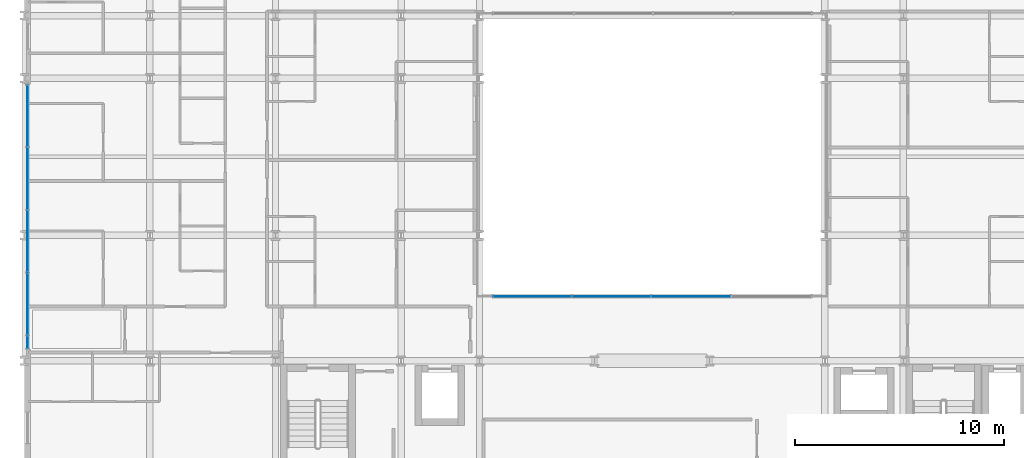
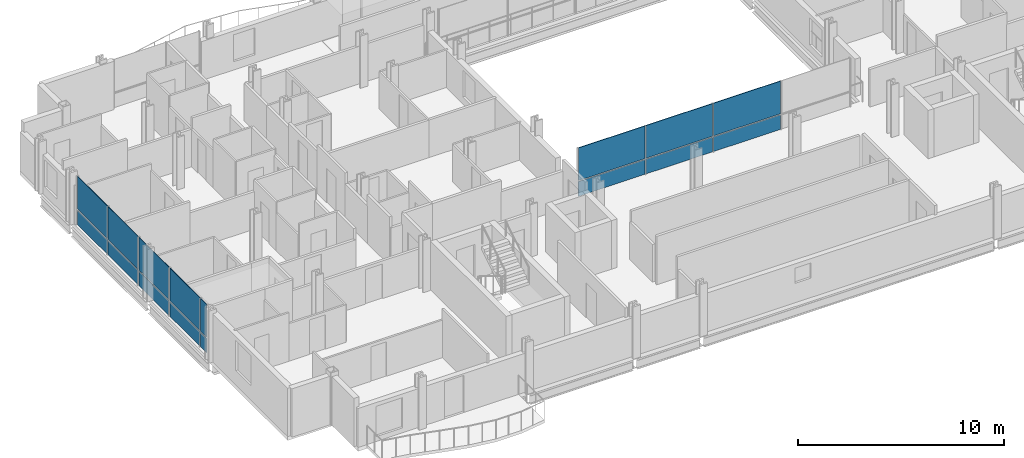
# One storey, part 26 of 40: 16 plates, 2 elements without a shape of their own.
"""IFC4 building model written with IfcOpenShell, lengths in metres."""

from ifc_helpers import new_model, si_unit, direction, frame, origin, origin_2d, place, context, subcontext, project, spatial, rectangle, extrude, material, layer, layer_set, type_object, element, aggregate, save


model = new_model("IFC4")

# Units and contexts
model_context = context("Model", 3, precision=1e-05, world=origin(), true_north=direction((0.0, 1.0)))
body_context = subcontext(model_context, "Body", "Model", "MODEL_VIEW")
ifc_project = project(units=[si_unit("LENGTHUNIT", "METRE"), si_unit("AREAUNIT", "SQUARE_METRE"), si_unit("VOLUMEUNIT", "CUBIC_METRE"), si_unit("PLANEANGLEUNIT", "RADIAN"), si_unit("MASSUNIT", "GRAM", prefix="KILO")], contexts=[model_context])

# Site, building, storey
site_placement = place(None, origin())
site = spatial("IfcSite", under=ifc_project, at=site_placement, CompositionType="ELEMENT")
building_placement = place(site_placement, origin())
building = spatial("IfcBuilding", under=site, at=building_placement, Name="Brevholm Reach", CompositionType="ELEMENT")
storey_placement = place(building_placement, frame((0.0, 0.0, 37.300048828125)))
storey = spatial("IfcBuildingStorey", under=building, at=storey_placement, Name="L09", CompositionType="ELEMENT", Elevation=37.300048828125)

# Curtain wall, plates
ifc_material_1 = material(Name="Dark Anodised Aluminium 6063-T6 and Solar-Control Glass", Category="aluminium")
ifc_layer_1 = layer(ifc_material_1, 0.14990234375)
ifc_layer_set_1 = layer_set([ifc_layer_1], Name="Dark Anodised Aluminium 6063-T6 and Solar-Control Glass")
curtain_wall_type_1 = type_object("IfcCurtainWallType", Name="CW-01", PredefinedType="NOTDEFINED", material=ifc_layer_set_1)
curtain_wall_1_placement = place(storey_placement, origin())
curtain_wall_1 = element("IfcCurtainWall", 1, at=curtain_wall_1_placement, inside=storey, type_object=curtain_wall_type_1, Name="L09 Curtain Wall CW-01", PredefinedType="NOTDEFINED")
ifc_material_2 = material(Name="Dark Solar-Control Double-Glazed IGU Glass", Category="glass")
ifc_layer_2 = layer(ifc_material_2, 0.028076171875)
ifc_layer_set_2 = layer_set([ifc_layer_2], Name="Dark Solar-Control Double-Glazed IGU Glass")
plate_type_1 = type_object("IfcPlateType", Name="CWP-GLZ-28", PredefinedType="CURTAIN_PANEL", material=ifc_layer_set_2)
plate_1_placement = place(storey_placement, frame((0.14990234375, 21.703857421875, 0.0), z_axis=(0.0, 0.0, 1.0), x_axis=(0.0, -1.0, 0.0)))
plate_1 = element("IfcPlate", 2, at=plate_1_placement, type_object=plate_type_1, Name="CP-01 Glazing Panel 1.1", PredefinedType="CURTAIN_PANEL", context=body_context, shape_type="SweptSolid", body=[
    extrude(rectangle(XDim=2.902587890625, YDim=0.028076171875, at=origin_2d()), origin(), (0.0, 0.0, 1.0), 0.867431640625),
])
plate_2_placement = place(storey_placement, frame((0.14990234375, 21.703857421875, 0.932373046875), z_axis=(0.0, 0.0, 1.0), x_axis=(0.0, -1.0, 0.0)))
plate_2 = element("IfcPlate", 3, at=plate_2_placement, type_object=plate_type_1, Name="CP-01 Glazing Panel 1.2", PredefinedType="CURTAIN_PANEL", context=body_context, shape_type="SweptSolid", body=[
    extrude(rectangle(XDim=2.902587890625, YDim=0.028076171875, at=origin_2d()), origin(), (0.0, 0.0, 1.0), 1.9375),
])
plate_3_placement = place(storey_placement, frame((0.14990234375, 18.719970703125, 0.0), z_axis=(0.0, 0.0, 1.0), x_axis=(0.0, -1.0, 0.0)))
plate_3 = element("IfcPlate", 4, at=plate_3_placement, type_object=plate_type_1, Name="CP-01 Glazing Panel 2.1", PredefinedType="CURTAIN_PANEL", context=body_context, shape_type="SweptSolid", body=[
    extrude(rectangle(XDim=2.93505859375, YDim=0.028076171875, at=origin_2d()), origin(), (0.0, 0.0, 1.0), 0.867431640625),
])
plate_4_placement = place(storey_placement, frame((0.14990234375, 18.719970703125, 0.932373046875), z_axis=(0.0, 0.0, 1.0), x_axis=(0.0, -1.0, 0.0)))
plate_4 = element("IfcPlate", 5, at=plate_4_placement, type_object=plate_type_1, Name="CP-01 Glazing Panel 2.2", PredefinedType="CURTAIN_PANEL", context=body_context, shape_type="SweptSolid", body=[
    extrude(rectangle(XDim=2.93505859375, YDim=0.028076171875, at=origin_2d()), origin(), (0.0, 0.0, 1.0), 1.9375),
])
plate_5_placement = place(storey_placement, frame((0.14990234375, 15.719970703125, 0.0), z_axis=(0.0, 0.0, 1.0), x_axis=(0.0, -1.0, 0.0)))
plate_5 = element("IfcPlate", 6, at=plate_5_placement, type_object=plate_type_1, Name="CP-01 Glazing Panel 3.1", PredefinedType="CURTAIN_PANEL", context=body_context, shape_type="SweptSolid", body=[
    extrude(rectangle(XDim=2.93505859375, YDim=0.028076171875, at=origin_2d()), origin(), (0.0, 0.0, 1.0), 0.867431640625),
])
plate_6_placement = place(storey_placement, frame((0.14990234375, 15.719970703125, 0.932373046875), z_axis=(0.0, 0.0, 1.0), x_axis=(0.0, -1.0, 0.0)))
plate_6 = element("IfcPlate", 7, at=plate_6_placement, type_object=plate_type_1, Name="CP-01 Glazing Panel 3.2", PredefinedType="CURTAIN_PANEL", context=body_context, shape_type="SweptSolid", body=[
    extrude(rectangle(XDim=2.93505859375, YDim=0.028076171875, at=origin_2d()), origin(), (0.0, 0.0, 1.0), 1.9375),
])
plate_7_placement = place(storey_placement, frame((0.14990234375, 12.719970703125, 0.0), z_axis=(0.0, 0.0, 1.0), x_axis=(0.0, -1.0, 0.0)))
plate_7 = element("IfcPlate", 8, at=plate_7_placement, type_object=plate_type_1, Name="CP-01 Glazing Panel 4.1", PredefinedType="CURTAIN_PANEL", context=body_context, shape_type="SweptSolid", body=[
    extrude(rectangle(XDim=2.93505859375, YDim=0.028076171875, at=origin_2d()), origin(), (0.0, 0.0, 1.0), 0.867431640625),
])
plate_8_placement = place(storey_placement, frame((0.14990234375, 12.719970703125, 0.932373046875), z_axis=(0.0, 0.0, 1.0), x_axis=(0.0, -1.0, 0.0)))
plate_8 = element("IfcPlate", 9, at=plate_8_placement, type_object=plate_type_1, Name="CP-01 Glazing Panel 4.2", PredefinedType="CURTAIN_PANEL", context=body_context, shape_type="SweptSolid", body=[
    extrude(rectangle(XDim=2.93505859375, YDim=0.028076171875, at=origin_2d()), origin(), (0.0, 0.0, 1.0), 1.9375),
])
plate_9_placement = place(storey_placement, frame((0.14990234375, 10.9013671875, 0.0), z_axis=(0.0, 0.0, 1.0), x_axis=(0.0, -1.0, 0.0)))
plate_9 = element("IfcPlate", 10, at=plate_9_placement, type_object=plate_type_1, Name="CP-01 Glazing Panel 5.1", PredefinedType="CURTAIN_PANEL", context=body_context, shape_type="SweptSolid", body=[
    extrude(rectangle(XDim=0.572509765625, YDim=0.028076171875, at=origin_2d()), origin(), (0.0, 0.0, 1.0), 0.867431640625),
])
plate_10_placement = place(storey_placement, frame((0.14990234375, 10.9013671875, 0.932373046875), z_axis=(0.0, 0.0, 1.0), x_axis=(0.0, -1.0, 0.0)))
plate_10 = element("IfcPlate", 11, at=plate_10_placement, type_object=plate_type_1, Name="CP-01 Glazing Panel 5.2", PredefinedType="CURTAIN_PANEL", context=body_context, shape_type="SweptSolid", body=[
    extrude(rectangle(XDim=0.572509765625, YDim=0.028076171875, at=origin_2d()), origin(), (0.0, 0.0, 1.0), 1.9375),
])
aggregate(curtain_wall_1, [plate_1, plate_2, plate_3, plate_4, plate_5, plate_6, plate_7, plate_8, plate_9, plate_10])

ifc_material_3 = material(Name="Dark Anodised Aluminium 6063-T6 and Solar-Control Glass", Category="aluminium")
ifc_layer_3 = layer(ifc_material_3, 0.139892578125)
ifc_layer_set_3 = layer_set([ifc_layer_3], Name="Dark Anodised Aluminium 6063-T6 and Solar-Control Glass")
curtain_wall_type_2 = type_object("IfcCurtainWallType", Name="CW-02", PredefinedType="NOTDEFINED", material=ifc_layer_set_3)
curtain_wall_2_placement = place(storey_placement, origin())
curtain_wall_2 = element("IfcCurtainWall", 12, at=curtain_wall_2_placement, inside=storey, type_object=curtain_wall_type_2, Name="L09 Curtain Wall CW-02", PredefinedType="NOTDEFINED")
ifc_material_4 = material(Name="Low-Iron Laminated Acoustic Glass", Category="glass")
ifc_layer_4 = layer(ifc_material_4, 0.035888671875)
ifc_layer_set_4 = layer_set([ifc_layer_4], Name="Low-Iron Laminated Acoustic Glass")
plate_type_2 = type_object("IfcPlateType", Name="CWP-GLZ-36", PredefinedType="CURTAIN_PANEL", material=ifc_layer_set_4)
plate_11_placement = place(storey_placement, frame((24.264892578125, 13.080078125, 0.0), z_axis=(0.0, 0.0, 1.0), x_axis=(1.0, 0.0, 0.0)))
plate_11 = element("IfcPlate", 13, at=plate_11_placement, type_object=plate_type_2, Name="CP-02 Glazing Panel 1.1", PredefinedType="CURTAIN_PANEL", context=body_context, shape_type="SweptSolid", body=[
    extrude(rectangle(XDim=3.7099609375, YDim=0.035888671875, at=origin_2d()), origin(), (0.0, 0.0, 1.0), 0.8701171875),
])
plate_12_placement = place(storey_placement, frame((24.264892578125, 13.080078125, 0.929931640625), z_axis=(0.0, 0.0, 1.0), x_axis=(1.0, 0.0, 0.0)))
plate_12 = element("IfcPlate", 14, at=plate_12_placement, type_object=plate_type_2, Name="CP-02 Glazing Panel 1.2", PredefinedType="CURTAIN_PANEL", context=body_context, shape_type="SweptSolid", body=[
    extrude(rectangle(XDim=3.7099609375, YDim=0.035888671875, at=origin_2d()), origin(), (0.0, 0.0, 1.0), 1.93994140625),
])
plate_13_placement = place(storey_placement, frame((28.050048828125, 13.080078125, 0.0), z_axis=(0.0, 0.0, 1.0), x_axis=(1.0, 0.0, 0.0)))
plate_13 = element("IfcPlate", 15, at=plate_13_placement, type_object=plate_type_2, Name="CP-02 Glazing Panel 2.1", PredefinedType="CURTAIN_PANEL", context=body_context, shape_type="SweptSolid", body=[
    extrude(rectangle(XDim=3.739990234375, YDim=0.035888671875, at=origin_2d()), origin(), (0.0, 0.0, 1.0), 0.8701171875),
])
plate_14_placement = place(storey_placement, frame((28.050048828125, 13.080078125, 0.929931640625), z_axis=(0.0, 0.0, 1.0), x_axis=(1.0, 0.0, 0.0)))
plate_14 = element("IfcPlate", 16, at=plate_14_placement, type_object=plate_type_2, Name="CP-02 Glazing Panel 2.2", PredefinedType="CURTAIN_PANEL", context=body_context, shape_type="SweptSolid", body=[
    extrude(rectangle(XDim=3.739990234375, YDim=0.035888671875, at=origin_2d()), origin(), (0.0, 0.0, 1.0), 1.93994140625),
])
plate_15_placement = place(storey_placement, frame((31.85009765625, 13.080078125, 0.0), z_axis=(0.0, 0.0, 1.0), x_axis=(1.0, 0.0, 0.0)))
plate_15 = element("IfcPlate", 17, at=plate_15_placement, type_object=plate_type_2, Name="CP-02 Glazing Panel 3.1", PredefinedType="CURTAIN_PANEL", context=body_context, shape_type="SweptSolid", body=[
    extrude(rectangle(XDim=3.739990234375, YDim=0.035888671875, at=origin_2d()), origin(), (0.0, 0.0, 1.0), 0.8701171875),
])
plate_16_placement = place(storey_placement, frame((31.85009765625, 13.080078125, 0.929931640625), z_axis=(0.0, 0.0, 1.0), x_axis=(1.0, 0.0, 0.0)))
plate_16 = element("IfcPlate", 18, at=plate_16_placement, type_object=plate_type_2, Name="CP-02 Glazing Panel 3.2", PredefinedType="CURTAIN_PANEL", context=body_context, shape_type="SweptSolid", body=[
    extrude(rectangle(XDim=3.739990234375, YDim=0.035888671875, at=origin_2d()), origin(), (0.0, 0.0, 1.0), 1.93994140625),
])
aggregate(curtain_wall_2, [plate_11, plate_12, plate_13, plate_14, plate_15, plate_16])

save(model, "model.ifc")
